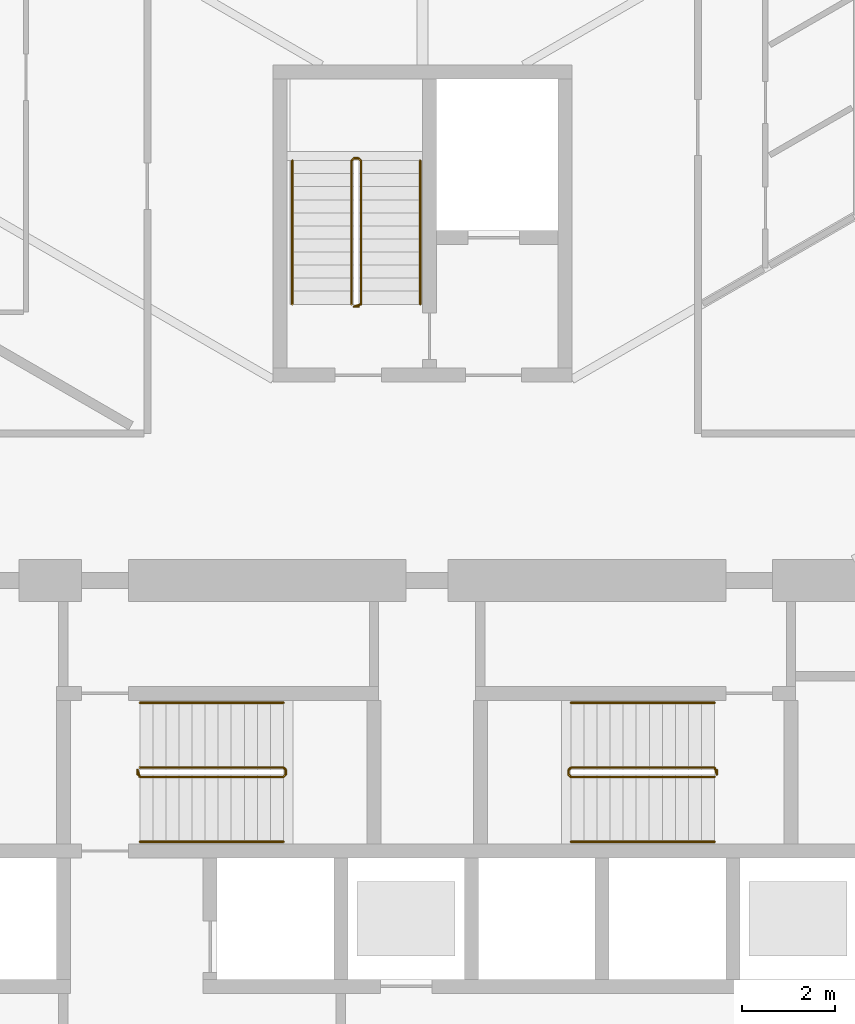
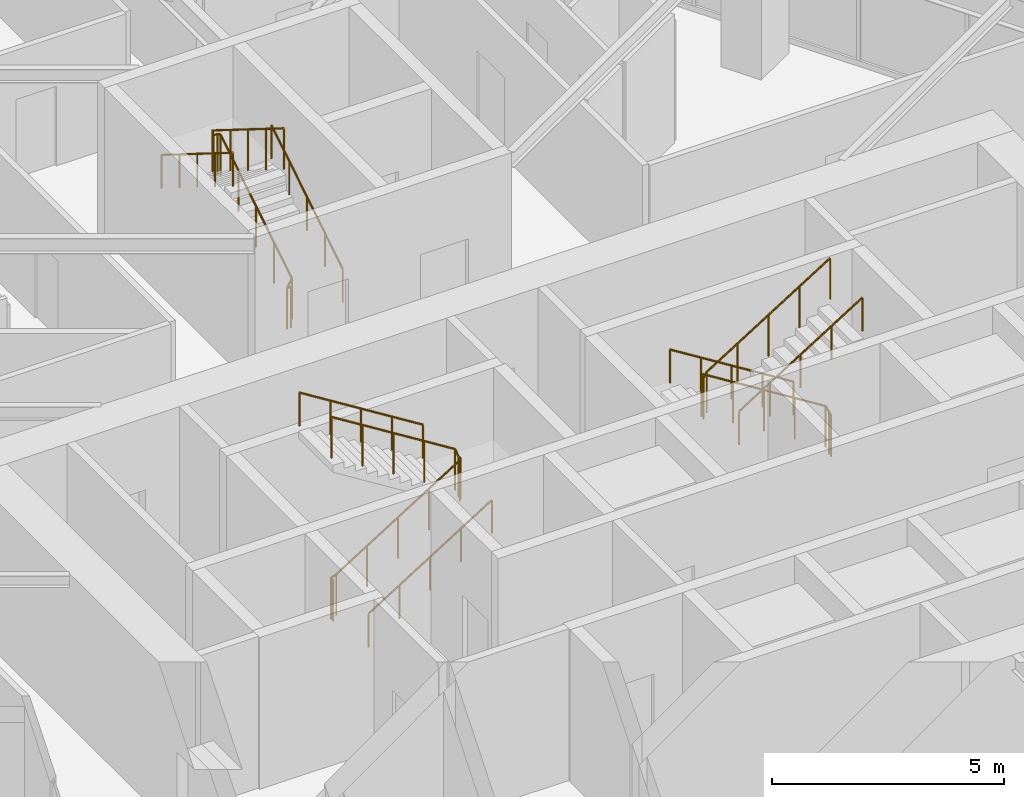
# One storey, part 25 of 26: 9 railings.
"""IFC4 building model written with IfcOpenShell, lengths in metres."""

from ifc_helpers import new_model, si_unit, direction, frame, origin, origin_2d, place, context, subcontext, project, spatial, circle, extrude, material, type_object, element, save


model = new_model("IFC4")

# Units and contexts
model_context = context("Model", 3, precision=1e-05, world=origin(), true_north=direction((0.0, 1.0)))
body_context = subcontext(model_context, "Body", "Model", "MODEL_VIEW")
ifc_project = project(units=[si_unit("LENGTHUNIT", "METRE"), si_unit("AREAUNIT", "SQUARE_METRE"), si_unit("VOLUMEUNIT", "CUBIC_METRE"), si_unit("PLANEANGLEUNIT", "RADIAN"), si_unit("MASSUNIT", "GRAM", prefix="KILO")], contexts=[model_context])

# Site, building, storey
site_placement = place(None, origin())
site = spatial("IfcSite", under=ifc_project, at=site_placement, CompositionType="ELEMENT")
building_placement = place(site_placement, origin())
building = spatial("IfcBuilding", under=site, at=building_placement, Name="Firuza Gate Tower and Library", CompositionType="ELEMENT")
storey_placement = place(building_placement, frame((0.0, 0.0, 65.199951171875)))
storey = spatial("IfcBuildingStorey", under=building, at=storey_placement, Name="L14", CompositionType="ELEMENT", Elevation=65.199951171875)

# Railings
ifc_material_1 = material(Name="Steel S355", Category="steel")
railing_type_1 = type_object("IfcRailingType", Name="Stair guard 1100", PredefinedType="GUARDRAIL", material=ifc_material_1)
railing_1_placement = place(storey_placement, frame((68.889892578125, 79.389892578125, 0.0)))
element("IfcRailing", 1, at=railing_1_placement, inside=storey, type_object=railing_type_1, Name="L14 ST1 stair guard 1", PredefinedType="GUARDRAIL", context=body_context, shape_type="SweptSolid", body=[
    extrude(circle(Radius=0.02392578125, at=origin_2d()), frame((0.0, 0.0, 1.076171875), z_axis=(0.0, 1.0, 0.0), x_axis=(-1.0, 0.0, 0.0)), (0.0, 0.0, 1.0), 0.10009765625),
    extrude(circle(Radius=0.02392578125, at=origin_2d()), frame((0.0, 0.10009765625, 1.076171875), z_axis=(0.21222055169, -0.635626432867, 0.742254319813), x_axis=(0.948528701346, 0.316691178788, 0.0)), (0.0, 0.0, 1.0), 0.23583984375),
    extrude(circle(Radius=0.02392578125, at=origin_2d()), frame((0.050048828125, -0.0498046875, 1.2509765625), z_axis=(0.847998304005, 0.0, 0.529998940003), x_axis=(0.0, 1.0, 0.0)), (0.0, 0.0, 1.0), 3.632080078125),
    extrude(circle(Radius=0.02392578125, at=origin_2d()), frame((3.130126953125, -0.0498046875, 3.17626953125), z_axis=(0.708833529934, 0.705375805398, 0.0), x_axis=(-0.705375805398, 0.708833529934, 0.0)), (0.0, 0.0, 1.0), 0.070556640625),
    extrude(circle(Radius=0.02392578125, at=origin_2d()), frame((3.18017578125, 0.0, 3.17626953125), z_axis=(0.0, 1.0, 0.0), x_axis=(-1.0, 0.0, 0.0)), (0.0, 0.0, 1.0), 0.10009765625),
    extrude(circle(Radius=0.02392578125, at=origin_2d()), frame((3.18017578125, 0.10009765625, 3.17626953125), z_axis=(-0.265065253269, 0.265065253269, 0.927081885822), x_axis=(-0.707106781187, -0.707106781187, 0.0)), (0.0, 0.0, 1.0), 0.188720703125),
    extrude(circle(Radius=0.02392578125, at=origin_2d()), frame((3.130126953125, 0.150146484375, 3.35107421875), z_axis=(-0.848028513186, 0.0, 0.529950602248), x_axis=(0.0, -1.0, 0.0)), (0.0, 0.0, 1.0), 3.632080078125),
    extrude(circle(Radius=0.02099609375, at=origin_2d()), origin(), (0.0, 0.0, 1.0), 1.052001953125),
    extrude(circle(Radius=0.02099609375, at=origin_2d()), frame((0.0, 0.10009765625, 0.0)), (0.0, 0.0, 1.0), 1.052001953125),
    extrude(circle(Radius=0.02099609375, at=origin_2d()), frame((0.050048828125, -0.0498046875, 0.175048828125)), (0.0, 0.0, 1.0), 1.052001953125),
    extrude(circle(Radius=0.02099609375, at=origin_2d()), frame((0.820068359375, -0.0498046875, 0.65625)), (0.0, 0.0, 1.0), 1.052001953125),
    extrude(circle(Radius=0.02099609375, at=origin_2d()), frame((1.590087890625, -0.0498046875, 1.1376953125)), (0.0, 0.0, 1.0), 1.052001953125),
    extrude(circle(Radius=0.02099609375, at=origin_2d()), frame((2.360107421875, -0.0498046875, 1.618896484375)), (0.0, 0.0, 1.0), 1.052001953125),
    extrude(circle(Radius=0.02099609375, at=origin_2d()), frame((3.130126953125, -0.0498046875, 2.10009765625)), (0.0, 0.0, 1.0), 1.052001953125),
    extrude(circle(Radius=0.02099609375, at=origin_2d()), frame((3.18017578125, 0.0, 2.10009765625)), (0.0, 0.0, 1.0), 1.052001953125),
    extrude(circle(Radius=0.02099609375, at=origin_2d()), frame((3.18017578125, 0.10009765625, 2.10009765625)), (0.0, 0.0, 1.0), 1.052001953125),
    extrude(circle(Radius=0.02099609375, at=origin_2d()), frame((3.130126953125, 0.150146484375, 2.275146484375)), (0.0, 0.0, 1.0), 1.052001953125),
    extrude(circle(Radius=0.02099609375, at=origin_2d()), frame((2.360107421875, 0.150146484375, 2.75634765625)), (0.0, 0.0, 1.0), 1.052001953125),
    extrude(circle(Radius=0.02099609375, at=origin_2d()), frame((1.590087890625, 0.150146484375, 3.237548828125)), (0.0, 0.0, 1.0), 1.052001953125),
    extrude(circle(Radius=0.02099609375, at=origin_2d()), frame((0.820068359375, 0.150146484375, 3.71875)), (0.0, 0.0, 1.0), 1.052001953125),
    extrude(circle(Radius=0.02099609375, at=origin_2d()), frame((0.050048828125, 0.150146484375, 4.199951171875)), (0.0, 0.0, 1.0), 1.052001953125),
])
railing_2_placement = place(storey_placement, frame((81.31005859375, 79.489990234375, 0.0)))
element("IfcRailing", 2, at=railing_2_placement, inside=storey, type_object=railing_type_1, Name="L14 ST2 stair guard 1", PredefinedType="GUARDRAIL", context=body_context, shape_type="SweptSolid", body=[
    extrude(circle(Radius=0.02392578125, at=origin_2d()), frame((0.0, 0.0, 1.076171875), z_axis=(0.0, -1.0, 0.0), x_axis=(1.0, 0.0, 0.0)), (0.0, 0.0, 1.0), 0.10009765625),
    extrude(circle(Radius=0.02392578125, at=origin_2d()), frame((0.0, -0.10009765625, 1.076171875), z_axis=(-0.212080931658, 0.636242794973, 0.741765990237), x_axis=(-0.948683298051, -0.316227766017, 0.0)), (0.0, 0.0, 1.0), 0.236083984375),
    extrude(circle(Radius=0.02392578125, at=origin_2d()), frame((-0.050048828125, 0.050048828125, 1.2509765625), z_axis=(-0.847998304005, 0.0, 0.529998940003), x_axis=(0.0, -1.0, 0.0)), (0.0, 0.0, 1.0), 3.632080078125),
    extrude(circle(Radius=0.02392578125, at=origin_2d()), frame((-3.130126953125, 0.050048828125, 3.17626953125), z_axis=(-0.707106781187, -0.707106781187, 0.0), x_axis=(0.707106781187, -0.707106781187, 0.0)), (0.0, 0.0, 1.0), 0.07080078125),
    extrude(circle(Radius=0.02392578125, at=origin_2d()), frame((-3.18017578125, 0.0, 3.17626953125), z_axis=(0.0, -1.0, 0.0), x_axis=(1.0, 0.0, 0.0)), (0.0, 0.0, 1.0), 0.10009765625),
    extrude(circle(Radius=0.02392578125, at=origin_2d()), frame((-3.18017578125, -0.10009765625, 3.17626953125), z_axis=(0.265155923931, -0.263862480399, 0.927399011991), x_axis=(0.705375805398, 0.708833529934, 0.0)), (0.0, 0.0, 1.0), 0.188720703125),
    extrude(circle(Radius=0.02392578125, at=origin_2d()), frame((-3.130126953125, -0.14990234375, 3.35107421875), z_axis=(0.848028513186, 0.0, 0.529950602248), x_axis=(0.0, 1.0, 0.0)), (0.0, 0.0, 1.0), 3.632080078125),
    extrude(circle(Radius=0.02099609375, at=origin_2d()), origin(), (0.0, 0.0, 1.0), 1.052001953125),
    extrude(circle(Radius=0.02099609375, at=origin_2d()), frame((0.0, -0.10009765625, 0.0)), (0.0, 0.0, 1.0), 1.052001953125),
    extrude(circle(Radius=0.02099609375, at=origin_2d()), frame((-0.050048828125, 0.050048828125, 0.175048828125)), (0.0, 0.0, 1.0), 1.052001953125),
    extrude(circle(Radius=0.02099609375, at=origin_2d()), frame((-0.820068359375, 0.050048828125, 0.65625)), (0.0, 0.0, 1.0), 1.052001953125),
    extrude(circle(Radius=0.02099609375, at=origin_2d()), frame((-1.590087890625, 0.050048828125, 1.1376953125)), (0.0, 0.0, 1.0), 1.052001953125),
    extrude(circle(Radius=0.02099609375, at=origin_2d()), frame((-2.360107421875, 0.050048828125, 1.618896484375)), (0.0, 0.0, 1.0), 1.052001953125),
    extrude(circle(Radius=0.02099609375, at=origin_2d()), frame((-3.130126953125, 0.050048828125, 2.10009765625)), (0.0, 0.0, 1.0), 1.052001953125),
    extrude(circle(Radius=0.02099609375, at=origin_2d()), frame((-3.18017578125, 0.0, 2.10009765625)), (0.0, 0.0, 1.0), 1.052001953125),
    extrude(circle(Radius=0.02099609375, at=origin_2d()), frame((-3.18017578125, -0.10009765625, 2.10009765625)), (0.0, 0.0, 1.0), 1.052001953125),
    extrude(circle(Radius=0.02099609375, at=origin_2d()), frame((-3.130126953125, -0.14990234375, 2.275146484375)), (0.0, 0.0, 1.0), 1.052001953125),
    extrude(circle(Radius=0.02099609375, at=origin_2d()), frame((-2.360107421875, -0.14990234375, 2.75634765625)), (0.0, 0.0, 1.0), 1.052001953125),
    extrude(circle(Radius=0.02099609375, at=origin_2d()), frame((-1.590087890625, -0.14990234375, 3.237548828125)), (0.0, 0.0, 1.0), 1.052001953125),
    extrude(circle(Radius=0.02099609375, at=origin_2d()), frame((-0.820068359375, -0.14990234375, 3.71875)), (0.0, 0.0, 1.0), 1.052001953125),
    extrude(circle(Radius=0.02099609375, at=origin_2d()), frame((-0.050048828125, -0.14990234375, 4.199951171875)), (0.0, 0.0, 1.0), 1.052001953125),
])
railing_3_placement = place(storey_placement, frame((73.6298828125, 89.419921875, 0.0)))
element("IfcRailing", 3, at=railing_3_placement, inside=storey, type_object=railing_type_1, Name="L14 ST3 stair guard 1", PredefinedType="GUARDRAIL", context=body_context, shape_type="SweptSolid", body=[
    extrude(circle(Radius=0.02392578125, at=origin_2d()), frame((0.0, 0.0, 1.076171875), z_axis=(-1.0, 0.0, 0.0), x_axis=(0.0, -1.0, 0.0)), (0.0, 0.0, 1.0), 0.099853515625),
    extrude(circle(Radius=0.02392578125, at=origin_2d()), frame((-0.099853515625, 0.0, 1.076171875), z_axis=(0.635626432867, 0.21222055169, 0.742254319813), x_axis=(-0.316691178788, 0.948528701346, 0.0)), (0.0, 0.0, 1.0), 0.23583984375),
    extrude(circle(Radius=0.02392578125, at=origin_2d()), frame((0.050048828125, 0.050048828125, 1.2509765625), z_axis=(0.0, 0.847998304005, 0.529998940003), x_axis=(-1.0, 0.0, 0.0)), (0.0, 0.0, 1.0), 3.632080078125),
    extrude(circle(Radius=0.02392578125, at=origin_2d()), frame((0.050048828125, 3.130126953125, 3.17626953125), z_axis=(-0.707106781187, 0.707106781187, 0.0), x_axis=(-0.707106781187, -0.707106781187, 0.0)), (0.0, 0.0, 1.0), 0.07080078125),
    extrude(circle(Radius=0.02392578125, at=origin_2d()), frame((0.0, 3.18017578125, 3.17626953125), z_axis=(-1.0, 0.0, 0.0), x_axis=(0.0, -1.0, 0.0)), (0.0, 0.0, 1.0), 0.099853515625),
    extrude(circle(Radius=0.02392578125, at=origin_2d()), frame((-0.099853515625, 3.18017578125, 3.17626953125), z_axis=(-0.265065253269, -0.265065253269, 0.927081885822), x_axis=(0.707106781187, -0.707106781187, 0.0)), (0.0, 0.0, 1.0), 0.188720703125),
    extrude(circle(Radius=0.02392578125, at=origin_2d()), frame((-0.14990234375, 3.130126953125, 3.35107421875), z_axis=(0.0, -0.848028513186, 0.529950602248), x_axis=(1.0, 0.0, 0.0)), (0.0, 0.0, 1.0), 3.632080078125),
    extrude(circle(Radius=0.02099609375, at=origin_2d()), origin(), (0.0, 0.0, 1.0), 1.052001953125),
    extrude(circle(Radius=0.02099609375, at=origin_2d()), frame((-0.099853515625, 0.0, 0.0)), (0.0, 0.0, 1.0), 1.052001953125),
    extrude(circle(Radius=0.02099609375, at=origin_2d()), frame((0.050048828125, 0.050048828125, 0.175048828125)), (0.0, 0.0, 1.0), 1.052001953125),
    extrude(circle(Radius=0.02099609375, at=origin_2d()), frame((0.050048828125, 0.820068359375, 0.65625)), (0.0, 0.0, 1.0), 1.052001953125),
    extrude(circle(Radius=0.02099609375, at=origin_2d()), frame((0.050048828125, 1.590087890625, 1.1376953125)), (0.0, 0.0, 1.0), 1.052001953125),
    extrude(circle(Radius=0.02099609375, at=origin_2d()), frame((0.050048828125, 2.360107421875, 1.618896484375)), (0.0, 0.0, 1.0), 1.052001953125),
    extrude(circle(Radius=0.02099609375, at=origin_2d()), frame((0.050048828125, 3.130126953125, 2.10009765625)), (0.0, 0.0, 1.0), 1.052001953125),
    extrude(circle(Radius=0.02099609375, at=origin_2d()), frame((0.0, 3.18017578125, 2.10009765625)), (0.0, 0.0, 1.0), 1.052001953125),
    extrude(circle(Radius=0.02099609375, at=origin_2d()), frame((-0.099853515625, 3.18017578125, 2.10009765625)), (0.0, 0.0, 1.0), 1.052001953125),
    extrude(circle(Radius=0.02099609375, at=origin_2d()), frame((-0.14990234375, 3.130126953125, 2.275146484375)), (0.0, 0.0, 1.0), 1.052001953125),
    extrude(circle(Radius=0.02099609375, at=origin_2d()), frame((-0.14990234375, 2.360107421875, 2.75634765625)), (0.0, 0.0, 1.0), 1.052001953125),
    extrude(circle(Radius=0.02099609375, at=origin_2d()), frame((-0.14990234375, 1.590087890625, 3.237548828125)), (0.0, 0.0, 1.0), 1.052001953125),
    extrude(circle(Radius=0.02099609375, at=origin_2d()), frame((-0.14990234375, 0.820068359375, 3.71875)), (0.0, 0.0, 1.0), 1.052001953125),
    extrude(circle(Radius=0.02099609375, at=origin_2d()), frame((-0.14990234375, 0.050048828125, 4.199951171875)), (0.0, 0.0, 1.0), 1.052001953125),
])
ifc_material_2 = material(Name="Steel S355", Category="steel")
railing_type_2 = type_object("IfcRailingType", Name="Stair handrail 900", PredefinedType="HANDRAIL", material=ifc_material_2)
railing_4_placement = place(storey_placement, frame((68.93994140625, 77.949951171875, 0.175048828125)))
element("IfcRailing", 4, at=railing_4_placement, inside=storey, type_object=railing_type_2, Name="L14 ST1 stair handrail 1", PredefinedType="HANDRAIL", context=body_context, shape_type="SweptSolid", body=[
    extrude(circle(Radius=0.02392578125, at=origin_2d()), frame((0.0, 0.0, 0.8759765625), z_axis=(0.847998304005, 0.0, 0.529998940003), x_axis=(0.0, 1.0, 0.0)), (0.0, 0.0, 1.0), 3.632080078125),
    extrude(circle(Radius=0.02099609375, at=origin_2d()), origin(), (0.0, 0.0, 1.0), 0.851806640625),
    extrude(circle(Radius=0.02099609375, at=origin_2d()), frame((0.77001953125, 0.0, 0.481201171875)), (0.0, 0.0, 1.0), 0.851806640625),
    extrude(circle(Radius=0.02099609375, at=origin_2d()), frame((1.5400390625, 0.0, 0.96240234375)), (0.0, 0.0, 1.0), 0.851806640625),
    extrude(circle(Radius=0.02099609375, at=origin_2d()), frame((2.31005859375, 0.0, 1.44384765625)), (0.0, 0.0, 1.0), 0.851806640625),
    extrude(circle(Radius=0.02099609375, at=origin_2d()), frame((3.080078125, 0.0, 1.925048828125)), (0.0, 0.0, 1.0), 0.851806640625),
])
railing_5_placement = place(storey_placement, frame((72.02001953125, 80.929931640625, 2.275146484375)))
element("IfcRailing", 5, at=railing_5_placement, inside=storey, type_object=railing_type_2, Name="L14 ST1 stair handrail 2", PredefinedType="HANDRAIL", context=body_context, shape_type="SweptSolid", body=[
    extrude(circle(Radius=0.02392578125, at=origin_2d()), frame((0.0, 0.0, 0.8759765625), z_axis=(-0.848028513186, 0.0, 0.529950602248), x_axis=(0.0, -1.0, 0.0)), (0.0, 0.0, 1.0), 3.632080078125),
    extrude(circle(Radius=0.02099609375, at=origin_2d()), origin(), (0.0, 0.0, 1.0), 0.851806640625),
    extrude(circle(Radius=0.02099609375, at=origin_2d()), frame((-0.77001953125, 0.0, 0.481201171875)), (0.0, 0.0, 1.0), 0.851806640625),
    extrude(circle(Radius=0.02099609375, at=origin_2d()), frame((-1.5400390625, 0.0, 0.96240234375)), (0.0, 0.0, 1.0), 0.851806640625),
    extrude(circle(Radius=0.02099609375, at=origin_2d()), frame((-2.31005859375, 0.0, 1.443603515625)), (0.0, 0.0, 1.0), 0.851806640625),
    extrude(circle(Radius=0.02099609375, at=origin_2d()), frame((-3.080078125, 0.0, 1.9248046875)), (0.0, 0.0, 1.0), 0.851806640625),
])
railing_6_placement = place(storey_placement, frame((81.260009765625, 80.929931640625, 0.175048828125)))
element("IfcRailing", 6, at=railing_6_placement, inside=storey, type_object=railing_type_2, Name="L14 ST2 stair handrail 1", PredefinedType="HANDRAIL", context=body_context, shape_type="SweptSolid", body=[
    extrude(circle(Radius=0.02392578125, at=origin_2d()), frame((0.0, 0.0, 0.8759765625), z_axis=(-0.847998304005, 0.0, 0.529998940003), x_axis=(0.0, -1.0, 0.0)), (0.0, 0.0, 1.0), 3.632080078125),
    extrude(circle(Radius=0.02099609375, at=origin_2d()), origin(), (0.0, 0.0, 1.0), 0.851806640625),
    extrude(circle(Radius=0.02099609375, at=origin_2d()), frame((-0.77001953125, 0.0, 0.481201171875)), (0.0, 0.0, 1.0), 0.851806640625),
    extrude(circle(Radius=0.02099609375, at=origin_2d()), frame((-1.5400390625, 0.0, 0.96240234375)), (0.0, 0.0, 1.0), 0.851806640625),
    extrude(circle(Radius=0.02099609375, at=origin_2d()), frame((-2.31005859375, 0.0, 1.44384765625)), (0.0, 0.0, 1.0), 0.851806640625),
    extrude(circle(Radius=0.02099609375, at=origin_2d()), frame((-3.080078125, 0.0, 1.925048828125)), (0.0, 0.0, 1.0), 0.851806640625),
])
railing_7_placement = place(storey_placement, frame((78.179931640625, 77.949951171875, 2.275146484375)))
element("IfcRailing", 7, at=railing_7_placement, inside=storey, type_object=railing_type_2, Name="L14 ST2 stair handrail 2", PredefinedType="HANDRAIL", context=body_context, shape_type="SweptSolid", body=[
    extrude(circle(Radius=0.02392578125, at=origin_2d()), frame((0.0, 0.0, 0.8759765625), z_axis=(0.848028513186, 0.0, 0.529950602248), x_axis=(0.0, 1.0, 0.0)), (0.0, 0.0, 1.0), 3.632080078125),
    extrude(circle(Radius=0.02099609375, at=origin_2d()), origin(), (0.0, 0.0, 1.0), 0.851806640625),
    extrude(circle(Radius=0.02099609375, at=origin_2d()), frame((0.77001953125, 0.0, 0.481201171875)), (0.0, 0.0, 1.0), 0.851806640625),
    extrude(circle(Radius=0.02099609375, at=origin_2d()), frame((1.5400390625, 0.0, 0.96240234375)), (0.0, 0.0, 1.0), 0.851806640625),
    extrude(circle(Radius=0.02099609375, at=origin_2d()), frame((2.31005859375, 0.0, 1.443603515625)), (0.0, 0.0, 1.0), 0.851806640625),
    extrude(circle(Radius=0.02099609375, at=origin_2d()), frame((3.080078125, 0.0, 1.9248046875)), (0.0, 0.0, 1.0), 0.851806640625),
])
railing_8_placement = place(storey_placement, frame((74.949951171875, 89.469970703125, 0.175048828125)))
element("IfcRailing", 8, at=railing_8_placement, inside=storey, type_object=railing_type_2, Name="L14 ST3 stair handrail 1", PredefinedType="HANDRAIL", context=body_context, shape_type="SweptSolid", body=[
    extrude(circle(Radius=0.02392578125, at=origin_2d()), frame((0.0, 0.0, 0.8759765625), z_axis=(0.0, 0.847998304005, 0.529998940003), x_axis=(-1.0, 0.0, 0.0)), (0.0, 0.0, 1.0), 3.632080078125),
    extrude(circle(Radius=0.02099609375, at=origin_2d()), origin(), (0.0, 0.0, 1.0), 0.851806640625),
    extrude(circle(Radius=0.02099609375, at=origin_2d()), frame((0.0, 0.77001953125, 0.481201171875)), (0.0, 0.0, 1.0), 0.851806640625),
    extrude(circle(Radius=0.02099609375, at=origin_2d()), frame((0.0, 1.5400390625, 0.96240234375)), (0.0, 0.0, 1.0), 0.851806640625),
    extrude(circle(Radius=0.02099609375, at=origin_2d()), frame((0.0, 2.31005859375, 1.44384765625)), (0.0, 0.0, 1.0), 0.851806640625),
    extrude(circle(Radius=0.02099609375, at=origin_2d()), frame((0.0, 3.080078125, 1.925048828125)), (0.0, 0.0, 1.0), 0.851806640625),
])
railing_9_placement = place(storey_placement, frame((72.2099609375, 92.550048828125, 2.275146484375)))
element("IfcRailing", 9, at=railing_9_placement, inside=storey, type_object=railing_type_2, Name="L14 ST3 stair handrail 2", PredefinedType="HANDRAIL", context=body_context, shape_type="SweptSolid", body=[
    extrude(circle(Radius=0.02392578125, at=origin_2d()), frame((0.0, 0.0, 0.8759765625), z_axis=(0.0, -0.848028513186, 0.529950602248), x_axis=(1.0, 0.0, 0.0)), (0.0, 0.0, 1.0), 3.632080078125),
    extrude(circle(Radius=0.02099609375, at=origin_2d()), origin(), (0.0, 0.0, 1.0), 0.851806640625),
    extrude(circle(Radius=0.02099609375, at=origin_2d()), frame((0.0, -0.77001953125, 0.481201171875)), (0.0, 0.0, 1.0), 0.851806640625),
    extrude(circle(Radius=0.02099609375, at=origin_2d()), frame((0.0, -1.5400390625, 0.96240234375)), (0.0, 0.0, 1.0), 0.851806640625),
    extrude(circle(Radius=0.02099609375, at=origin_2d()), frame((0.0, -2.31005859375, 1.443603515625)), (0.0, 0.0, 1.0), 0.851806640625),
    extrude(circle(Radius=0.02099609375, at=origin_2d()), frame((0.0, -3.080078125, 1.9248046875)), (0.0, 0.0, 1.0), 0.851806640625),
])

save(model, "model.ifc")
